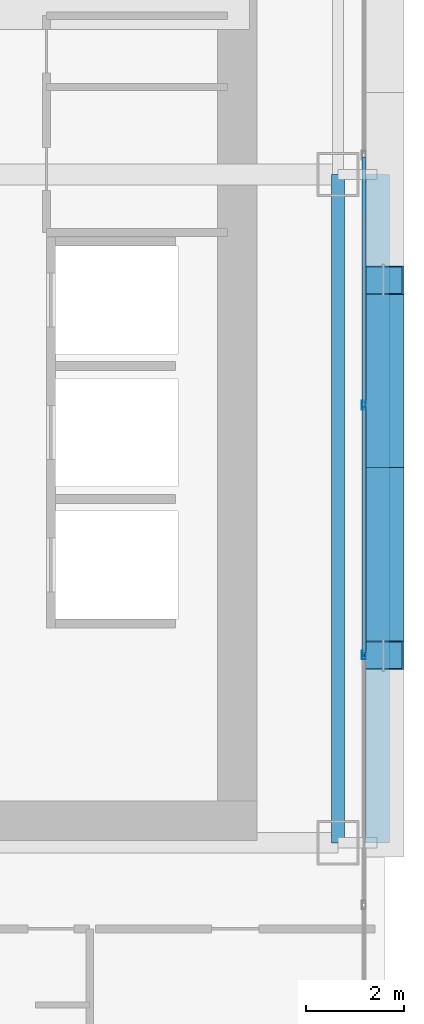
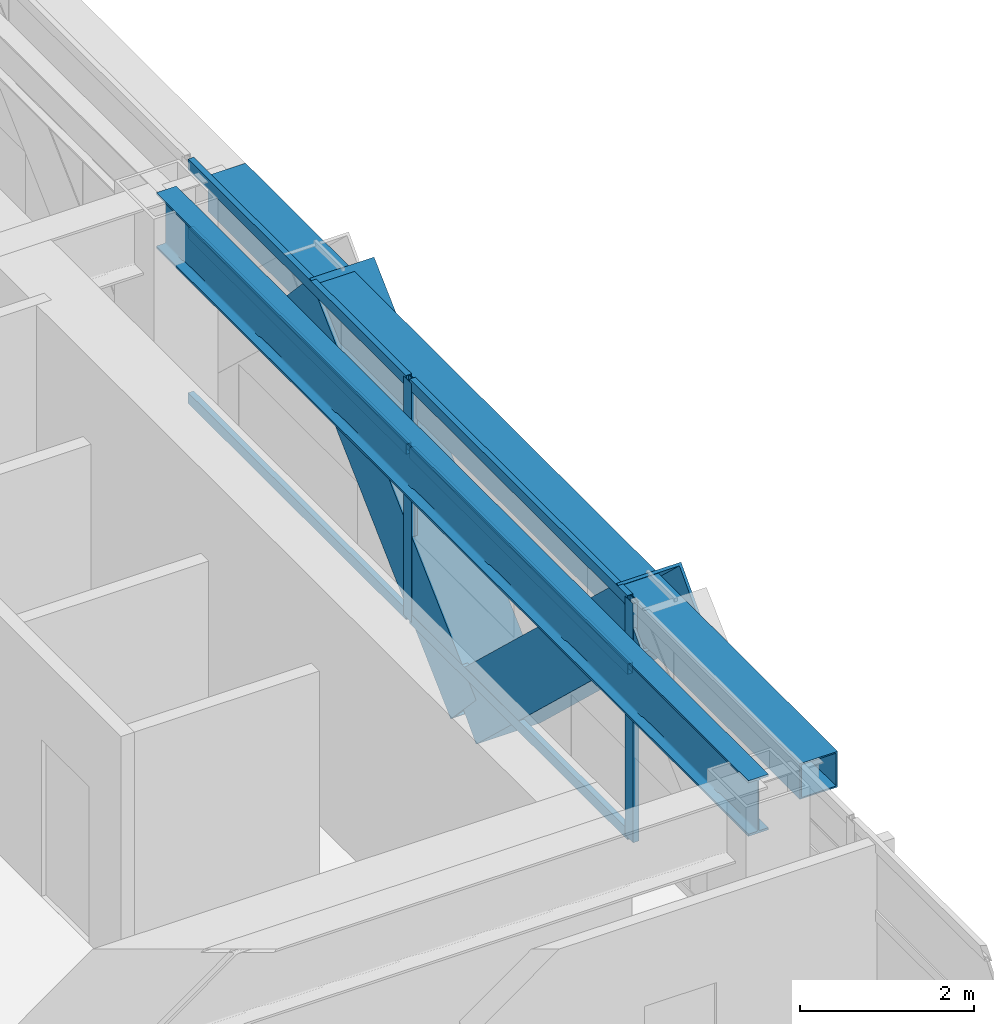
# One storey, part 13 of 35: 10 members, 2 beams, 1 element without a shape of its own.
"""IFC4 building model written with IfcOpenShell, lengths in metres."""

from ifc_helpers import new_model, si_unit, direction, frame, origin, origin_2d, place, context, subcontext, project, spatial, hollow_rectangle, i_section, extrude, source, transform, mapped, material, layer, layer_set, material_profile, profile_set, type_object, element, aggregate, save


model = new_model("IFC4")

# Units and contexts
model_context = context("Model", 3, precision=1e-05, world=origin(), true_north=direction((0.0, 1.0)))
body_context = subcontext(model_context, "Body", "Model", "MODEL_VIEW")
ifc_project = project(units=[si_unit("LENGTHUNIT", "METRE"), si_unit("AREAUNIT", "SQUARE_METRE"), si_unit("VOLUMEUNIT", "CUBIC_METRE"), si_unit("PLANEANGLEUNIT", "RADIAN"), si_unit("MASSUNIT", "GRAM", prefix="KILO")], contexts=[model_context])

# Site, building, storey
site_placement = place(None, origin())
site = spatial("IfcSite", under=ifc_project, at=site_placement, CompositionType="ELEMENT")
building_placement = place(site_placement, origin())
building = spatial("IfcBuilding", under=site, at=building_placement, Name="Ocotamira Hotel", CompositionType="ELEMENT")
storey_placement = place(building_placement, frame((0.0, 0.0, 63.60009765625)))
storey = spatial("IfcBuildingStorey", under=building, at=storey_placement, Name="L15", CompositionType="ELEMENT", Elevation=63.60009765625)

# Beams
ifc_material_1 = material(Name="Steel ASTM A992 Grade 50", Category="steel")
ifc_material_profile_1 = material_profile(ifc_material_1, i_section(OverallWidth=0.26611328125, OverallDepth=0.779052734375, WebThickness=0.0166015625, FlangeThickness=0.030029296875, FilletRadius=0.01806640625, at=origin_2d()), Name="W30X148")
ifc_profile_set_1 = profile_set([ifc_material_profile_1], Name="Steel ASTM A992 Grade 50")
beam_type_1 = type_object("IfcBeamType", Name="BM-GIRD-W30X148", PredefinedType="BEAM", material=ifc_profile_set_1)
shared_shape_1 = source(origin(), body_context, "Body", "SweptSolid", [
    extrude(i_section(OverallWidth=0.26611328125, OverallDepth=0.779052734375, WebThickness=0.0166015625, FlangeThickness=0.030029296875, FilletRadius=0.01806640625, at=origin_2d()), origin(), (0.0, 0.0, 1.0), 13.599853515625),
])
beam_1_placement = place(storey_placement, frame((55.050048828125, 14.550048828125, 2.96044921875), z_axis=(0.0, 1.0, 0.0), x_axis=(-1.0, 0.0, 0.0)))
element("IfcBeam", 1, at=beam_1_placement, inside=storey, type_object=beam_type_1, Name="L15 Beam X55.05 Y14.55-28.15", PredefinedType="BEAM", context=body_context, shape_type="MappedRepresentation", body=[
    mapped(shared_shape_1, transform((0.0, 0.0, 0.0), scale=1.0)),
])
ifc_material_2 = material(Name="Steel ASTM A500 Grade C", Category="steel")
ifc_material_profile_2 = material_profile(ifc_material_2, hollow_rectangle(XDim=0.5, YDim=0.5, WallThickness=0.02001953125, at=origin_2d()), Name="HSS500X500X20")
ifc_profile_set_2 = profile_set([ifc_material_profile_2], Name="Steel ASTM A500 Grade C")
beam_type_2 = type_object("IfcBeamType", Name="BM-SPAN-HSS500", PredefinedType="USERDEFINED", material=ifc_profile_set_2)
shared_shape_2 = source(origin(), body_context, "Body", "SweptSolid", [
    extrude(hollow_rectangle(XDim=0.5, YDim=0.5, WallThickness=0.02001953125, at=origin_2d()), origin(), (0.0, 0.0, 1.0), 13.599853515625),
])
beam_2_placement = place(storey_placement, frame((55.85009765625, 14.550048828125, 3.099853515625), z_axis=(0.0, 1.0, 0.0), x_axis=(-1.0, 0.0, 0.0)))
element("IfcBeam", 2, at=beam_2_placement, inside=storey, type_object=beam_type_2, Name="L15 Edge Spandrel E Y14.55-28.15", ObjectType="SPANDREL", PredefinedType="USERDEFINED", context=body_context, shape_type="MappedRepresentation", body=[
    mapped(shared_shape_2, transform((0.0, 0.0, 0.0), scale=1.0)),
])

# Members
ifc_material_3 = material(Name="Pale-metal coated steel ASTM A913 Grade 65", Category="steel")
ifc_material_profile_3 = material_profile(ifc_material_3, hollow_rectangle(XDim=0.85009765625, YDim=0.85009765625, WallThickness=0.035888671875, at=origin_2d()), Name="BOX850X850X36")
ifc_profile_set_3 = profile_set([ifc_material_profile_3], Name="Pale-metal coated steel ASTM A913 Grade 65")
member_type_1 = type_object("IfcMemberType", Name="MEM-EXO-BOX850", PredefinedType="BRACE", material=ifc_profile_set_3)
shared_shape_3 = source(origin(), body_context, "Body", "SweptSolid", [
    extrude(hollow_rectangle(XDim=0.85009765625, YDim=0.85009765625, WallThickness=0.035888671875, at=origin_2d()), origin(), (0.0, 0.0, 1.0), 5.24658203125),
])
for number, where, z_axis, x_axis, name in (
    (3, (55.969970703125, 22.183349609375, -0.5), (0.0, -0.72746596067, 0.686143772154), (1.0, 0.0, 0.0), "L15 Exoskeleton Diagrid E0.2"),
    (4, (55.969970703125, 22.183349609375, -0.5), (0.0, 0.72746596067, 0.686143772154), (-1.0, 0.0, 0.0), "L15 Exoskeleton Diagrid E1.1"),
):
    element("IfcMember", number, at=place(storey_placement, frame(where, z_axis=z_axis, x_axis=x_axis)), inside=storey, type_object=member_type_1, Name=name, PredefinedType="BRACE", context=body_context, shape_type="MappedRepresentation", body=[
        mapped(shared_shape_3, transform((0.0, 0.0, 0.0), scale=1.0)),
    ])

# Curtain wall, members
ifc_material_4 = material(Name="Anodised pale-metal aluminium and solar glass", Category="aluminium")
ifc_layer = layer(ifc_material_4, 0.179931640625)
ifc_layer_set = layer_set([ifc_layer], Name="Anodised pale-metal aluminium and solar glass")
curtain_wall_type = type_object("IfcCurtainWallType", Name="CW-SYS2-Z1", PredefinedType="NOTDEFINED", material=ifc_layer_set)
curtain_wall_placement = place(storey_placement, origin())
curtain_wall = element("IfcCurtainWall", 5, at=curtain_wall_placement, inside=storey, type_object=curtain_wall_type, Name="L15 Curtain Wall CW-2 CW-L15-E", PredefinedType="NOTDEFINED")
ifc_material_5 = material(Name="Anodised pale-metal aluminium 6063-T6", Category="aluminium")
ifc_material_profile_4 = material_profile(ifc_material_5, hollow_rectangle(XDim=0.080078125, YDim=0.179931640625, WallThickness=0.006103515625, at=origin_2d()), Name="HSS180X80X6")
ifc_profile_set_4 = profile_set([ifc_material_profile_4], Name="Anodised pale-metal aluminium 6063-T6")
member_type_2 = type_object("IfcMemberType", Name="CWM-180X75", PredefinedType="MULLION", material=ifc_profile_set_4)
shared_shape_4 = source(origin(), body_context, "Body", "SweptSolid", [
    extrude(hollow_rectangle(XDim=0.080078125, YDim=0.179931640625, WallThickness=0.006103515625, at=origin_2d()), origin(), (0.0, 0.0, 1.0), 3.349853515625),
])
member_1_placement = place(storey_placement, frame((55.580078125, 18.371337890625, 0.0), z_axis=(0.0, 0.0, 1.0), x_axis=(-1.0, 0.0, 0.0)))
member_1 = element("IfcMember", 6, at=member_1_placement, type_object=member_type_2, Name="CW-2 mullion 3", PredefinedType="MULLION", context=body_context, shape_type="MappedRepresentation", body=[
    mapped(shared_shape_4, transform((0.0, 0.0, 0.0), scale=1.0)),
])
member_2_placement = place(storey_placement, frame((55.580078125, 23.45703125, 0.0), z_axis=(0.0, 0.0, 1.0), x_axis=(-1.0, 0.0, 0.0)))
member_2 = element("IfcMember", 7, at=member_2_placement, type_object=member_type_2, Name="CW-2 mullion 4", PredefinedType="MULLION", context=body_context, shape_type="MappedRepresentation", body=[
    mapped(shared_shape_4, transform((0.0, 0.0, 0.0), scale=1.0)),
])
ifc_material_profile_5 = material_profile(ifc_material_5, hollow_rectangle(XDim=0.074951171875, YDim=0.14990234375, WallThickness=0.006103515625, at=origin_2d()), Name="HSS150X75X6")
ifc_profile_set_5 = profile_set([ifc_material_profile_5], Name="Anodised pale-metal aluminium 6063-T6")
member_type_3 = type_object("IfcMemberType", Name="CWT-150X75", PredefinedType="USERDEFINED", material=ifc_profile_set_5)
shared_shape_5 = source(origin(), body_context, "Body", "SweptSolid", [
    extrude(hollow_rectangle(XDim=0.074951171875, YDim=0.14990234375, WallThickness=0.006103515625, at=origin_2d()), origin(), (0.0, 0.0, 1.0), 5.005859375),
])
member_3_placement = place(storey_placement, frame((55.580078125, 18.411376953125, 0.037353515625), z_axis=(0.0, 1.0, 0.0), x_axis=(-1.0, 0.0, 0.0)))
member_3 = element("IfcMember", 8, at=member_3_placement, type_object=member_type_3, Name="CW-2 transom 3.1", ObjectType="TRANSOM", PredefinedType="USERDEFINED", context=body_context, shape_type="MappedRepresentation", body=[
    mapped(shared_shape_5, transform((0.0, 0.0, 0.0), scale=1.0)),
])
member_4_placement = place(storey_placement, frame((55.580078125, 18.411376953125, 2.349853515625), z_axis=(0.0, 1.0, 0.0), x_axis=(-1.0, 0.0, 0.0)))
member_4 = element("IfcMember", 9, at=member_4_placement, type_object=member_type_3, Name="CW-2 transom 3.2", ObjectType="TRANSOM", PredefinedType="USERDEFINED", context=body_context, shape_type="MappedRepresentation", body=[
    mapped(shared_shape_5, transform((0.0, 0.0, 0.0), scale=1.0)),
])
member_5_placement = place(storey_placement, frame((55.580078125, 18.411376953125, 3.3125), z_axis=(0.0, 1.0, 0.0), x_axis=(-1.0, 0.0, 0.0)))
member_5 = element("IfcMember", 10, at=member_5_placement, type_object=member_type_3, Name="CW-2 transom 3.3", ObjectType="TRANSOM", PredefinedType="USERDEFINED", context=body_context, shape_type="MappedRepresentation", body=[
    mapped(shared_shape_5, transform((0.0, 0.0, 0.0), scale=1.0)),
])
member_6_placement = place(storey_placement, frame((55.580078125, 23.4970703125, 0.037353515625), z_axis=(0.0, 1.0, 0.0), x_axis=(-1.0, 0.0, 0.0)))
member_6 = element("IfcMember", 11, at=member_6_placement, type_object=member_type_3, Name="CW-2 transom 4.1", ObjectType="TRANSOM", PredefinedType="USERDEFINED", context=body_context, shape_type="MappedRepresentation", body=[
    mapped(shared_shape_5, transform((0.0, 0.0, 0.0), scale=1.0)),
])
member_7_placement = place(storey_placement, frame((55.580078125, 23.4970703125, 2.349853515625), z_axis=(0.0, 1.0, 0.0), x_axis=(-1.0, 0.0, 0.0)))
member_7 = element("IfcMember", 12, at=member_7_placement, type_object=member_type_3, Name="CW-2 transom 4.2", ObjectType="TRANSOM", PredefinedType="USERDEFINED", context=body_context, shape_type="MappedRepresentation", body=[
    mapped(shared_shape_5, transform((0.0, 0.0, 0.0), scale=1.0)),
])
member_8_placement = place(storey_placement, frame((55.580078125, 23.4970703125, 3.3125), z_axis=(0.0, 1.0, 0.0), x_axis=(-1.0, 0.0, 0.0)))
member_8 = element("IfcMember", 13, at=member_8_placement, type_object=member_type_3, Name="CW-2 transom 4.3", ObjectType="TRANSOM", PredefinedType="USERDEFINED", context=body_context, shape_type="MappedRepresentation", body=[
    mapped(shared_shape_5, transform((0.0, 0.0, 0.0), scale=1.0)),
])
aggregate(curtain_wall, [member_1, member_2, member_3, member_4, member_5, member_6, member_7, member_8])

save(model, "model.ifc")
